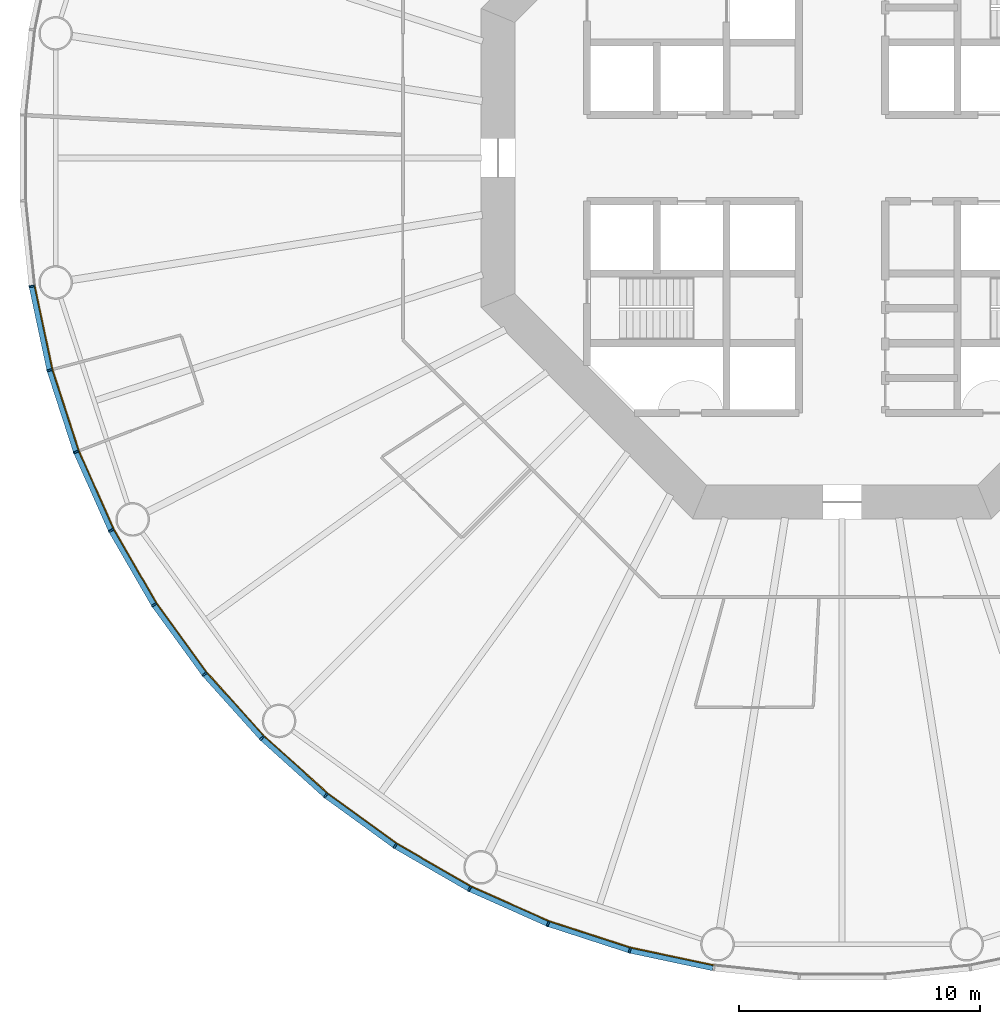
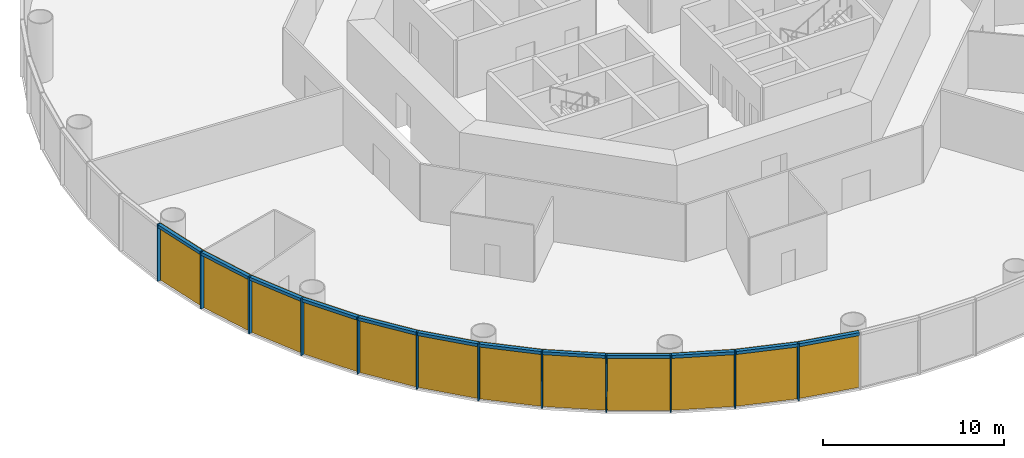
# One storey, part 7 of 13: 24 members, 4 curtain walls.
"""IFC4 building model written with IfcOpenShell, lengths in metres."""

from ifc_helpers import new_model, si_unit, direction, frame, origin, origin_2d, place, context, subcontext, project, spatial, polyline, rectangle, outline, extrude, material, layer, layer_set, material_profile, profile_set, type_object, element, aggregate, save


model = new_model("IFC4")

# Units and contexts
model_context = context("Model", 3, precision=1e-05, world=origin(), true_north=direction((0.0, 1.0)))
body_context = subcontext(model_context, "Body", "Model", "MODEL_VIEW")
ifc_project = project(units=[si_unit("LENGTHUNIT", "METRE"), si_unit("AREAUNIT", "SQUARE_METRE"), si_unit("VOLUMEUNIT", "CUBIC_METRE"), si_unit("PLANEANGLEUNIT", "RADIAN"), si_unit("MASSUNIT", "GRAM", prefix="KILO")], contexts=[model_context])

# Member
ifc_material_1 = material(Name="Anodised aluminium", Category="aluminium")
ifc_material_profile_1 = material_profile(ifc_material_1, rectangle(XDim=0.074951171875, YDim=0.219970703125, at=origin_2d()), Name="Mullion 75 x 220 mm anodised aluminium")
ifc_profile_set_1 = profile_set([ifc_material_profile_1], Name="Anodised aluminium")
member_type_1 = type_object("IfcMemberType", Name="Mullion 75 x 220 mm anodised aluminium", PredefinedType="MULLION", material=ifc_profile_set_1)
site_placement = place(None, origin())
building_placement = place(site_placement, origin())
storey_placement = place(building_placement, frame((0.0, 0.0, 46.0)))
member_1_placement = place(storey_placement, frame((56.31005859375, 74.6640625, 0.0), z_axis=(0.0, 0.0, 1.0), x_axis=(0.15643446504, -0.987688340595, 0.0)))
member_1 = element("IfcMember", 1, at=member_1_placement, type_object=member_type_1, Name="MULLION L09-30", PredefinedType="MULLION", context=body_context, shape_type="SweptSolid", body=[
    extrude(rectangle(XDim=0.074951171875, YDim=0.219970703125, at=origin_2d()), origin(), (0.0, 0.0, 1.0), 3.85009765625),
])

member_2_placement = place(storey_placement, frame((57.05224609375, 71.171630859375, 0.0), z_axis=(0.0, 0.0, 1.0), x_axis=(0.258819045103, -0.965925826289, 0.0)))
member_2 = element("IfcMember", 2, at=member_2_placement, type_object=member_type_1, Name="MULLION L09-31", PredefinedType="MULLION", context=body_context, shape_type="SweptSolid", body=[
    extrude(rectangle(XDim=0.074951171875, YDim=0.219970703125, at=origin_2d()), origin(), (0.0, 0.0, 1.0), 3.85009765625),
])

member_3_placement = place(storey_placement, frame((58.155517578125, 67.776123046875, 0.0), z_axis=(0.0, 0.0, 1.0), x_axis=(0.358367949545, -0.933580426497, 0.0)))
member_3 = element("IfcMember", 3, at=member_3_placement, type_object=member_type_1, Name="MULLION L09-32", PredefinedType="MULLION", context=body_context, shape_type="SweptSolid", body=[
    extrude(rectangle(XDim=0.074951171875, YDim=0.219970703125, at=origin_2d()), origin(), (0.0, 0.0, 1.0), 3.85009765625),
])

member_4_placement = place(storey_placement, frame((59.607666015625, 64.514404296875, 0.0), z_axis=(0.0, 0.0, 1.0), x_axis=(0.45399049974, -0.891006524188, 0.0)))
member_4 = element("IfcMember", 4, at=member_4_placement, type_object=member_type_1, Name="MULLION L09-33", PredefinedType="MULLION", context=body_context, shape_type="SweptSolid", body=[
    extrude(rectangle(XDim=0.074951171875, YDim=0.219970703125, at=origin_2d()), origin(), (0.0, 0.0, 1.0), 3.85009765625),
])

member_5_placement = place(storey_placement, frame((61.39306640625, 61.42236328125, 0.0), z_axis=(0.0, 0.0, 1.0), x_axis=(0.544639035015, -0.838670567945, 0.0)))
member_5 = element("IfcMember", 5, at=member_5_placement, type_object=member_type_1, Name="MULLION L09-34", PredefinedType="MULLION", context=body_context, shape_type="SweptSolid", body=[
    extrude(rectangle(XDim=0.074951171875, YDim=0.219970703125, at=origin_2d()), origin(), (0.0, 0.0, 1.0), 3.85009765625),
])

member_6_placement = place(storey_placement, frame((63.491455078125, 58.533935546875, 0.0), z_axis=(0.0, 0.0, 1.0), x_axis=(0.62932039105, -0.777145961457, 0.0)))
member_6 = element("IfcMember", 6, at=member_6_placement, type_object=member_type_1, Name="MULLION L09-35", PredefinedType="MULLION", context=body_context, shape_type="SweptSolid", body=[
    extrude(rectangle(XDim=0.074951171875, YDim=0.219970703125, at=origin_2d()), origin(), (0.0, 0.0, 1.0), 3.85009765625),
])

member_7_placement = place(storey_placement, frame((65.880615234375, 55.880615234375, 0.0), z_axis=(0.0, 0.0, 1.0), x_axis=(0.707106781187, -0.707106781187, 0.0)))
member_7 = element("IfcMember", 7, at=member_7_placement, type_object=member_type_1, Name="MULLION L09-36", PredefinedType="MULLION", context=body_context, shape_type="SweptSolid", body=[
    extrude(rectangle(XDim=0.074951171875, YDim=0.219970703125, at=origin_2d()), origin(), (0.0, 0.0, 1.0), 3.85009765625),
])

member_8_placement = place(storey_placement, frame((68.533935546875, 53.491455078125, 0.0), z_axis=(0.0, 0.0, 1.0), x_axis=(0.777145961457, -0.62932039105, 0.0)))
member_8 = element("IfcMember", 8, at=member_8_placement, type_object=member_type_1, Name="MULLION L09-37", PredefinedType="MULLION", context=body_context, shape_type="SweptSolid", body=[
    extrude(rectangle(XDim=0.074951171875, YDim=0.219970703125, at=origin_2d()), origin(), (0.0, 0.0, 1.0), 3.85009765625),
])

member_9_placement = place(storey_placement, frame((71.42236328125, 51.39306640625, 0.0), z_axis=(0.0, 0.0, 1.0), x_axis=(0.838670567945, -0.544639035015, 0.0)))
member_9 = element("IfcMember", 9, at=member_9_placement, type_object=member_type_1, Name="MULLION L09-38", PredefinedType="MULLION", context=body_context, shape_type="SweptSolid", body=[
    extrude(rectangle(XDim=0.074951171875, YDim=0.219970703125, at=origin_2d()), origin(), (0.0, 0.0, 1.0), 3.85009765625),
])

member_10_placement = place(storey_placement, frame((74.514404296875, 49.607666015625, 0.0), z_axis=(0.0, 0.0, 1.0), x_axis=(0.891006524188, -0.45399049974, 0.0)))
member_10 = element("IfcMember", 10, at=member_10_placement, type_object=member_type_1, Name="MULLION L09-39", PredefinedType="MULLION", context=body_context, shape_type="SweptSolid", body=[
    extrude(rectangle(XDim=0.074951171875, YDim=0.219970703125, at=origin_2d()), origin(), (0.0, 0.0, 1.0), 3.85009765625),
])

member_11_placement = place(storey_placement, frame((77.776123046875, 48.155517578125, 0.0), z_axis=(0.0, 0.0, 1.0), x_axis=(0.933580426497, -0.358367949545, 0.0)))
member_11 = element("IfcMember", 11, at=member_11_placement, type_object=member_type_1, Name="MULLION L09-40", PredefinedType="MULLION", context=body_context, shape_type="SweptSolid", body=[
    extrude(rectangle(XDim=0.074951171875, YDim=0.219970703125, at=origin_2d()), origin(), (0.0, 0.0, 1.0), 3.85009765625),
])

member_12_placement = place(storey_placement, frame((81.171630859375, 47.05224609375, 0.0), z_axis=(0.0, 0.0, 1.0), x_axis=(0.965925826289, -0.258819045103, 0.0)))
member_12 = element("IfcMember", 12, at=member_12_placement, type_object=member_type_1, Name="MULLION L09-41", PredefinedType="MULLION", context=body_context, shape_type="SweptSolid", body=[
    extrude(rectangle(XDim=0.074951171875, YDim=0.219970703125, at=origin_2d()), origin(), (0.0, 0.0, 1.0), 3.85009765625),
])

ifc_material_2 = material(Name="Anodised aluminium", Category="aluminium")
ifc_material_profile_2 = material_profile(ifc_material_2, rectangle(XDim=0.219970703125, YDim=0.199951171875, at=origin_2d()), Name="Transom 200 x 220 mm anodised aluminium")
ifc_profile_set_2 = profile_set([ifc_material_profile_2], Name="Anodised aluminium")
member_type_2 = type_object("IfcMemberType", Name="Transom 200 x 220 mm anodised aluminium", PredefinedType="USERDEFINED", material=ifc_profile_set_2)
member_13_placement = place(storey_placement, frame((56.31884765625, 74.62158203125, 3.75), z_axis=(0.207920776701, -0.978145669426, 0.0), x_axis=(0.978145669426, 0.207920776701, 0.0)))
member_13 = element("IfcMember", 13, at=member_13_placement, type_object=member_type_2, Name="TRANSOM L09-30", ObjectType="TRANSOM", PredefinedType="USERDEFINED", context=body_context, shape_type="SweptSolid", body=[
    extrude(rectangle(XDim=0.219970703125, YDim=0.199951171875, at=origin_2d()), origin(), (0.0, 0.0, 1.0), 3.48388671875),
])

member_14_placement = place(storey_placement, frame((57.0654296875, 71.130615234375, 3.75), z_axis=(0.309029029702, -0.951052605696, 0.0), x_axis=(0.951052605696, 0.309029029702, 0.0)))
member_14 = element("IfcMember", 14, at=member_14_placement, type_object=member_type_2, Name="TRANSOM L09-31", ObjectType="TRANSOM", PredefinedType="USERDEFINED", context=body_context, shape_type="SweptSolid", body=[
    extrude(rectangle(XDim=0.219970703125, YDim=0.199951171875, at=origin_2d()), origin(), (0.0, 0.0, 1.0), 3.484130859375),
])

member_15_placement = place(storey_placement, frame((58.173095703125, 67.736572265625, 3.75), z_axis=(0.406736576304, -0.913545487371, 0.0), x_axis=(0.913545487371, 0.406736576304, 0.0)))
member_15 = element("IfcMember", 15, at=member_15_placement, type_object=member_type_2, Name="TRANSOM L09-32", ObjectType="TRANSOM", PredefinedType="USERDEFINED", context=body_context, shape_type="SweptSolid", body=[
    extrude(rectangle(XDim=0.219970703125, YDim=0.199951171875, at=origin_2d()), origin(), (0.0, 0.0, 1.0), 3.48388671875),
])

member_16_placement = place(storey_placement, frame((59.629150390625, 64.476806640625, 3.75), z_axis=(0.500005538244, -0.866022206254, 0.0), x_axis=(0.866022206254, 0.500005538244, 0.0)))
member_16 = element("IfcMember", 16, at=member_16_placement, type_object=member_type_2, Name="TRANSOM L09-33", ObjectType="TRANSOM", PredefinedType="USERDEFINED", context=body_context, shape_type="SweptSolid", body=[
    extrude(rectangle(XDim=0.219970703125, YDim=0.199951171875, at=origin_2d()), origin(), (0.0, 0.0, 1.0), 3.48388671875),
])

member_17_placement = place(storey_placement, frame((61.418212890625, 61.38720703125, 3.75), z_axis=(0.587821627006, -0.80899056535, 0.0), x_axis=(0.80899056535, 0.587821627006, 0.0)))
member_17 = element("IfcMember", 17, at=member_17_placement, type_object=member_type_2, Name="TRANSOM L09-34", ObjectType="TRANSOM", PredefinedType="USERDEFINED", context=body_context, shape_type="SweptSolid", body=[
    extrude(rectangle(XDim=0.219970703125, YDim=0.199951171875, at=origin_2d()), origin(), (0.0, 0.0, 1.0), 3.48388671875),
])

member_18_placement = place(storey_placement, frame((63.520263671875, 58.501708984375, 3.75), z_axis=(0.669138930974, -0.743137329876, 0.0), x_axis=(0.743137329876, 0.669138930974, 0.0)))
member_18 = element("IfcMember", 18, at=member_18_placement, type_object=member_type_2, Name="TRANSOM L09-35", ObjectType="TRANSOM", PredefinedType="USERDEFINED", context=body_context, shape_type="SweptSolid", body=[
    extrude(rectangle(XDim=0.219970703125, YDim=0.199951171875, at=origin_2d()), origin(), (0.0, 0.0, 1.0), 3.484130859375),
])

member_19_placement = place(storey_placement, frame((65.91259765625, 55.8515625, 3.75), z_axis=(0.743137329876, -0.669138930974, 0.0), x_axis=(0.669138930974, 0.743137329876, 0.0)))
member_19 = element("IfcMember", 19, at=member_19_placement, type_object=member_type_2, Name="TRANSOM L09-36", ObjectType="TRANSOM", PredefinedType="USERDEFINED", context=body_context, shape_type="SweptSolid", body=[
    extrude(rectangle(XDim=0.219970703125, YDim=0.199951171875, at=origin_2d()), origin(), (0.0, 0.0, 1.0), 3.484130859375),
])

member_20_placement = place(storey_placement, frame((68.56884765625, 53.466064453125, 3.75), z_axis=(0.80899056535, -0.587821627006, 0.0), x_axis=(0.587821627006, 0.80899056535, 0.0)))
member_20 = element("IfcMember", 20, at=member_20_placement, type_object=member_type_2, Name="TRANSOM L09-37", ObjectType="TRANSOM", PredefinedType="USERDEFINED", context=body_context, shape_type="SweptSolid", body=[
    extrude(rectangle(XDim=0.219970703125, YDim=0.199951171875, at=origin_2d()), origin(), (0.0, 0.0, 1.0), 3.48388671875),
])

member_21_placement = place(storey_placement, frame((71.459716796875, 51.37109375, 3.75), z_axis=(0.866022206254, -0.500005538244, 0.0), x_axis=(0.500005538244, 0.866022206254, 0.0)))
member_21 = element("IfcMember", 21, at=member_21_placement, type_object=member_type_2, Name="TRANSOM L09-38", ObjectType="TRANSOM", PredefinedType="USERDEFINED", context=body_context, shape_type="SweptSolid", body=[
    extrude(rectangle(XDim=0.219970703125, YDim=0.199951171875, at=origin_2d()), origin(), (0.0, 0.0, 1.0), 3.48388671875),
])

member_22_placement = place(storey_placement, frame((74.553955078125, 49.590087890625, 3.75), z_axis=(0.913545487371, -0.406736576304, 0.0), x_axis=(0.406736576304, 0.913545487371, 0.0)))
member_22 = element("IfcMember", 22, at=member_22_placement, type_object=member_type_2, Name="TRANSOM L09-39", ObjectType="TRANSOM", PredefinedType="USERDEFINED", context=body_context, shape_type="SweptSolid", body=[
    extrude(rectangle(XDim=0.219970703125, YDim=0.199951171875, at=origin_2d()), origin(), (0.0, 0.0, 1.0), 3.48388671875),
])

member_23_placement = place(storey_placement, frame((77.817138671875, 48.14208984375, 3.75), z_axis=(0.951052605696, -0.309029029702, 0.0), x_axis=(0.309029029702, 0.951052605696, 0.0)))
member_23 = element("IfcMember", 23, at=member_23_placement, type_object=member_type_2, Name="TRANSOM L09-40", ObjectType="TRANSOM", PredefinedType="USERDEFINED", context=body_context, shape_type="SweptSolid", body=[
    extrude(rectangle(XDim=0.219970703125, YDim=0.199951171875, at=origin_2d()), origin(), (0.0, 0.0, 1.0), 3.484130859375),
])

member_24_placement = place(storey_placement, frame((81.2138671875, 47.043212890625, 3.75), z_axis=(0.978145669426, -0.207920776701, 0.0), x_axis=(0.207920776701, 0.978145669426, 0.0)))
member_24 = element("IfcMember", 24, at=member_24_placement, type_object=member_type_2, Name="TRANSOM L09-41", ObjectType="TRANSOM", PredefinedType="USERDEFINED", context=body_context, shape_type="SweptSolid", body=[
    extrude(rectangle(XDim=0.219970703125, YDim=0.199951171875, at=origin_2d()), origin(), (0.0, 0.0, 1.0), 3.48388671875),
])

# Site, building, storey
site = spatial("IfcSite", under=ifc_project, at=site_placement, CompositionType="ELEMENT")
building = spatial("IfcBuilding", under=site, at=building_placement, Name="Entoto Ring Tower", CompositionType="ELEMENT")
storey = spatial("IfcBuildingStorey", under=building, at=storey_placement, Name="L09", CompositionType="ELEMENT", Elevation=46.0)

# Curtain wall
ifc_material_3 = material(Name="Clear low-iron glass", Category="glass")
ifc_layer = layer(ifc_material_3, 0.0400390625)
ifc_layer_set = layer_set([ifc_layer], Name="Clear low-iron glass")
curtain_wall_type = type_object("IfcCurtainWallType", Name="Curtain wall system CW1 glazing 40 mm", PredefinedType="NOTDEFINED", material=ifc_layer_set)
curtain_wall_1_placement = place(storey_placement, origin())
curtain_wall_1 = element("IfcCurtainWall", 25, at=curtain_wall_1_placement, inside=storey, type_object=curtain_wall_type, Name="CW1 L09-11", PredefinedType="NOTDEFINED", context=body_context, shape_type="SweptSolid", body=[
    extrude(outline(polyline([(56.418701171875, 74.68115234375), (57.158447265625, 71.2001953125), (58.25830078125, 67.8154296875), (59.705810546875, 64.564208984375), (59.741455078125, 64.58251953125), (58.295654296875, 67.829833984375), (57.197265625, 71.21044921875), (56.458251953125, 74.6875), (56.418701171875, 74.68115234375)])), origin(), (0.0, 0.0, 1.0), 3.85009765625),
])

aggregate(curtain_wall_1, [member_1, member_2, member_3, member_13, member_14, member_15])

curtain_wall_2_placement = place(storey_placement, origin())
curtain_wall_2 = element("IfcCurtainWall", 26, at=curtain_wall_2_placement, inside=storey, type_object=curtain_wall_type, Name="CW1 L09-12", PredefinedType="NOTDEFINED", context=body_context, shape_type="SweptSolid", body=[
    extrude(outline(polyline([(59.705810546875, 64.564208984375), (61.485107421875, 61.482177734375), (63.5771484375, 58.60302734375), (65.958251953125, 55.958251953125), (65.986572265625, 55.986572265625), (63.608154296875, 58.62841796875), (61.518798828125, 61.504150390625), (59.741455078125, 64.58251953125), (59.705810546875, 64.564208984375)])), origin(), (0.0, 0.0, 1.0), 3.85009765625),
])

aggregate(curtain_wall_2, [member_4, member_5, member_6, member_16, member_17, member_18])

curtain_wall_3_placement = place(storey_placement, origin())
curtain_wall_3 = element("IfcCurtainWall", 27, at=curtain_wall_3_placement, inside=storey, type_object=curtain_wall_type, Name="CW1 L09-13", PredefinedType="NOTDEFINED", context=body_context, shape_type="SweptSolid", body=[
    extrude(outline(polyline([(65.958251953125, 55.958251953125), (68.60302734375, 53.5771484375), (71.482177734375, 51.485107421875), (74.564208984375, 49.705810546875), (74.58251953125, 49.741455078125), (71.504150390625, 51.518798828125), (68.62841796875, 53.608154296875), (65.986572265625, 55.986572265625), (65.958251953125, 55.958251953125)])), origin(), (0.0, 0.0, 1.0), 3.85009765625),
])

aggregate(curtain_wall_3, [member_7, member_8, member_9, member_19, member_20, member_21])

curtain_wall_4_placement = place(storey_placement, origin())
curtain_wall_4 = element("IfcCurtainWall", 28, at=curtain_wall_4_placement, inside=storey, type_object=curtain_wall_type, Name="CW1 L09-14", PredefinedType="NOTDEFINED", context=body_context, shape_type="SweptSolid", body=[
    extrude(outline(polyline([(74.564208984375, 49.705810546875), (77.8154296875, 48.25830078125), (81.2001953125, 47.158447265625), (84.68115234375, 46.418701171875), (84.6875, 46.458251953125), (81.21044921875, 47.197265625), (77.829833984375, 48.295654296875), (74.58251953125, 49.741455078125), (74.564208984375, 49.705810546875)])), origin(), (0.0, 0.0, 1.0), 3.85009765625),
])

aggregate(curtain_wall_4, [member_10, member_11, member_12, member_22, member_23, member_24])

save(model, "model.ifc")
